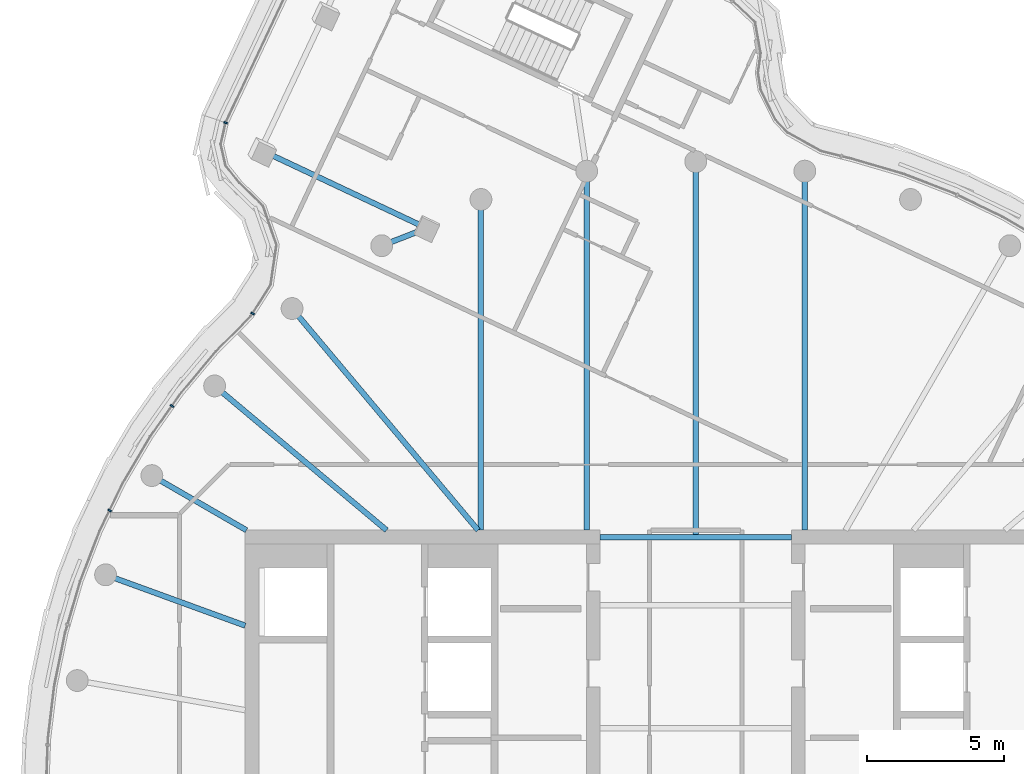
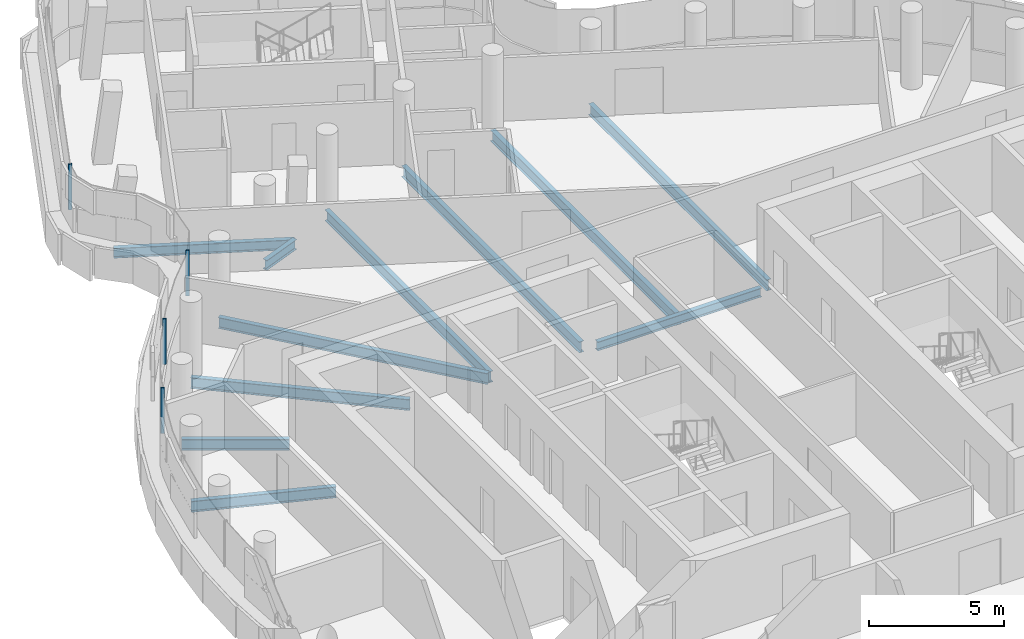
# One storey, part 9 of 21: 11 beams, 4 members, 1 element without a shape of its own.
"""IFC4 building model written with IfcOpenShell, lengths in metres."""

from ifc_helpers import new_model, si_unit, direction, frame, origin, origin_2d, place, context, subcontext, project, spatial, rectangle, i_section, extrude, material, layer, layer_set, material_profile, profile_set, type_object, element, aggregate, save


model = new_model("IFC4")

# Units and contexts
model_context = context("Model", 3, precision=1e-05, world=origin(), true_north=direction((0.0, 1.0)))
body_context = subcontext(model_context, "Body", "Model", "MODEL_VIEW")
ifc_project = project(units=[si_unit("LENGTHUNIT", "METRE"), si_unit("AREAUNIT", "SQUARE_METRE"), si_unit("VOLUMEUNIT", "CUBIC_METRE"), si_unit("PLANEANGLEUNIT", "RADIAN"), si_unit("MASSUNIT", "GRAM", prefix="KILO")], contexts=[model_context])

# Site, building, storey
site_placement = place(None, origin())
site = spatial("IfcSite", under=ifc_project, at=site_placement, CompositionType="ELEMENT")
building_placement = place(site_placement, origin())
building = spatial("IfcBuilding", under=site, at=building_placement, Name="Tamarind Cross Interchange Tower", CompositionType="ELEMENT")
storey_placement = place(building_placement, frame((0.0, 0.0, 267.60009765625)))
storey = spatial("IfcBuildingStorey", under=building, at=storey_placement, Name="L68", CompositionType="ELEMENT", Elevation=267.60009765625)

# Beams
ifc_material_1 = material(Name="Steel Q355B", Category="steel")
ifc_material_profile_1 = material_profile(ifc_material_1, i_section(OverallWidth=0.199951171875, OverallDepth=0.39990234375, WebThickness=0.008056640625, FlangeThickness=0.012939453125, FilletRadius=0.01611328125, at=origin_2d()), Name="HN 400x200x8x13")
ifc_profile_set_1 = profile_set([ifc_material_profile_1], Name="Steel Q355B")
beam_type_1 = type_object("IfcBeamType", Name="Composite beam HN 400x200x8x13 Q355B", PredefinedType="BEAM", material=ifc_profile_set_1)
beam_1_placement = place(storey_placement, frame((-3.5, 9.25, -0.340087890625), z_axis=(1.0, 0.0, 0.0), x_axis=(0.0, 1.0, 0.0)))
element("IfcBeam", 1, at=beam_1_placement, inside=storey, type_object=beam_type_1, Name="Beam G9.25", PredefinedType="BEAM", context=body_context, shape_type="SweptSolid", body=[
    extrude(i_section(OverallWidth=0.199951171875, OverallDepth=0.39990234375, WebThickness=0.008056640625, FlangeThickness=0.012939453125, FilletRadius=0.01611328125, at=origin_2d()), origin(), (0.0, 0.0, 1.0), 7.0),
])
ifc_material_profile_2 = material_profile(ifc_material_1, i_section(OverallWidth=0.198974609375, OverallDepth=0.446044921875, WebThickness=0.008056640625, FlangeThickness=0.011962890625, FilletRadius=0.012939453125, at=origin_2d()), Name="HN 446x199x8x12")
ifc_profile_set_2 = profile_set([ifc_material_profile_2], Name="Steel Q355B")
beam_type_2 = type_object("IfcBeamType", Name="Composite beam HN 446x199x8x12 Q355B", PredefinedType="BEAM", material=ifc_profile_set_2)
beam_2_placement = place(storey_placement, frame((-15.934326171875, 23.426025390625, -0.363037109375), z_axis=(0.904668861427, -0.426115302665, 0.0), x_axis=(0.426115302665, 0.904668861427, 0.0)))
element("IfcBeam", 2, at=beam_2_placement, inside=storey, type_object=beam_type_2, Name="Beam N-edgeep2", PredefinedType="BEAM", context=body_context, shape_type="SweptSolid", body=[
    extrude(i_section(OverallWidth=0.198974609375, OverallDepth=0.446044921875, WebThickness=0.008056640625, FlangeThickness=0.011962890625, FilletRadius=0.012939453125, at=origin_2d()), origin(), (0.0, 0.0, 1.0), 6.722900390625),
])
beam_3_placement = place(storey_placement, frame((-9.852294921875, 20.561279296875, -0.363037109375), z_axis=(-0.931659695272, -0.363332096304, 0.0), x_axis=(0.363332096304, -0.931659695272, 0.0)))
element("IfcBeam", 3, at=beam_3_placement, inside=storey, type_object=beam_type_2, Name="Beam N-linkep", PredefinedType="BEAM", context=body_context, shape_type="SweptSolid", body=[
    extrude(i_section(OverallWidth=0.198974609375, OverallDepth=0.446044921875, WebThickness=0.008056640625, FlangeThickness=0.011962890625, FilletRadius=0.012939453125, at=origin_2d()), origin(), (0.0, 0.0, 1.0), 1.7685546875),
])
ifc_material_profile_3 = material_profile(ifc_material_1, i_section(OverallWidth=0.198974609375, OverallDepth=0.49609375, WebThickness=0.009033203125, FlangeThickness=0.013916015625, FilletRadius=0.012939453125, at=origin_2d()), Name="HN 496x199x9x14")
ifc_profile_set_3 = profile_set([ifc_material_profile_3], Name="Steel Q355B")
beam_type_3 = type_object("IfcBeamType", Name="Composite beam HN 496x199x9x14 Q355B", PredefinedType="BEAM", material=ifc_profile_set_3)
beam_4_placement = place(storey_placement, frame((3.993896484375, 22.650634765625, -0.38818359375), z_axis=(0.0, -1.0, 0.0), x_axis=(1.0, 0.0, 0.0)))
element("IfcBeam", 4, at=beam_4_placement, inside=storey, type_object=beam_type_3, Name="Beam HH08", PredefinedType="BEAM", context=body_context, shape_type="SweptSolid", body=[
    extrude(i_section(OverallWidth=0.198974609375, OverallDepth=0.49609375, WebThickness=0.009033203125, FlangeThickness=0.013916015625, FilletRadius=0.012939453125, at=origin_2d()), origin(), (0.0, 0.0, 1.0), 13.150634765625),
])
beam_5_placement = place(storey_placement, frame((0.0, 23.0, -0.38818359375), z_axis=(0.0, -1.0, 0.0), x_axis=(1.0, 0.0, 0.0)))
element("IfcBeam", 5, at=beam_5_placement, inside=storey, type_object=beam_type_3, Name="Beam HH09", PredefinedType="BEAM", context=body_context, shape_type="SweptSolid", body=[
    extrude(i_section(OverallWidth=0.198974609375, OverallDepth=0.49609375, WebThickness=0.009033203125, FlangeThickness=0.013916015625, FilletRadius=0.012939453125, at=origin_2d()), origin(), (0.0, 0.0, 1.0), 13.75),
])
beam_6_placement = place(storey_placement, frame((-3.993896484375, 22.650634765625, -0.38818359375), z_axis=(0.0, -1.0, 0.0), x_axis=(1.0, 0.0, 0.0)))
element("IfcBeam", 6, at=beam_6_placement, inside=storey, type_object=beam_type_3, Name="Beam HH10", PredefinedType="BEAM", context=body_context, shape_type="SweptSolid", body=[
    extrude(i_section(OverallWidth=0.198974609375, OverallDepth=0.49609375, WebThickness=0.009033203125, FlangeThickness=0.013916015625, FilletRadius=0.012939453125, at=origin_2d()), origin(), (0.0, 0.0, 1.0), 13.150634765625),
])
beam_7_placement = place(storey_placement, frame((-7.866455078125, 21.613037109375, -0.38818359375), z_axis=(0.0, -1.0, 0.0), x_axis=(1.0, 0.0, 0.0)))
element("IfcBeam", 7, at=beam_7_placement, inside=storey, type_object=beam_type_3, Name="Beam HH11", PredefinedType="BEAM", context=body_context, shape_type="SweptSolid", body=[
    extrude(i_section(OverallWidth=0.198974609375, OverallDepth=0.49609375, WebThickness=0.009033203125, FlangeThickness=0.013916015625, FilletRadius=0.012939453125, at=origin_2d()), origin(), (0.0, 0.0, 1.0), 12.113037109375),
])
beam_8_placement = place(storey_placement, frame((-14.7841796875, 17.619140625, -0.38818359375), z_axis=(0.642786293979, -0.766045547127, 0.0), x_axis=(0.766045547127, 0.642786293979, 0.0)))
element("IfcBeam", 8, at=beam_8_placement, inside=storey, type_object=beam_type_3, Name="Beam HH13", PredefinedType="BEAM", context=body_context, shape_type="SweptSolid", body=[
    extrude(i_section(OverallWidth=0.198974609375, OverallDepth=0.49609375, WebThickness=0.009033203125, FlangeThickness=0.013916015625, FilletRadius=0.012939453125, at=origin_2d()), origin(), (0.0, 0.0, 1.0), 10.598876953125),
])
beam_9_placement = place(storey_placement, frame((-17.619140625, 14.7841796875, -0.38818359375), z_axis=(0.766040580814, -0.642792212574, 0.0), x_axis=(0.642792212574, 0.766040580814, 0.0)))
element("IfcBeam", 9, at=beam_9_placement, inside=storey, type_object=beam_type_3, Name="Beam HH14", PredefinedType="BEAM", context=body_context, shape_type="SweptSolid", body=[
    extrude(i_section(OverallWidth=0.198974609375, OverallDepth=0.49609375, WebThickness=0.009033203125, FlangeThickness=0.013916015625, FilletRadius=0.012939453125, at=origin_2d()), origin(), (0.0, 0.0, 1.0), 8.220703125),
])
beam_10_placement = place(storey_placement, frame((-19.918701171875, 11.5, -0.38818359375), z_axis=(0.866026010844, -0.49999894854, 0.0), x_axis=(0.49999894854, 0.866026010844, 0.0)))
element("IfcBeam", 10, at=beam_10_placement, inside=storey, type_object=beam_type_3, Name="Beam HH15", PredefinedType="BEAM", context=body_context, shape_type="SweptSolid", body=[
    extrude(i_section(OverallWidth=0.198974609375, OverallDepth=0.49609375, WebThickness=0.009033203125, FlangeThickness=0.013916015625, FilletRadius=0.012939453125, at=origin_2d()), origin(), (0.0, 0.0, 1.0), 4.0),
])
beam_11_placement = place(storey_placement, frame((-21.613037109375, 7.866455078125, -0.38818359375), z_axis=(0.939701685589, -0.341995236956, 0.0), x_axis=(0.341995236956, 0.939701685589, 0.0)))
element("IfcBeam", 11, at=beam_11_placement, inside=storey, type_object=beam_type_3, Name="Beam HH16", PredefinedType="BEAM", context=body_context, shape_type="SweptSolid", body=[
    extrude(i_section(OverallWidth=0.198974609375, OverallDepth=0.49609375, WebThickness=0.009033203125, FlangeThickness=0.013916015625, FilletRadius=0.012939453125, at=origin_2d()), origin(), (0.0, 0.0, 1.0), 5.441162109375),
])

# Curtain wall, members
ifc_material_2 = material(Name="Aluminium 6063-T6", Category="aluminium")
ifc_layer = layer(ifc_material_2, 0.139892578125)
ifc_layer_set = layer_set([ifc_layer], Name="Aluminium 6063-T6")
curtain_wall_type = type_object("IfcCurtainWallType", Name="Hotel curtain wall, 4.5 m bays", PredefinedType="NOTDEFINED", material=ifc_layer_set)
curtain_wall_placement = place(storey_placement, origin())
curtain_wall = element("IfcCurtainWall", 12, at=curtain_wall_placement, inside=storey, type_object=curtain_wall_type, Name="CWS-L68-01", PredefinedType="NOTDEFINED")
ifc_material_profile_4 = material_profile(ifc_material_2, rectangle(XDim=0.06005859375, YDim=0.139892578125, at=origin_2d()), Name="Mullion CW2")
ifc_profile_set_4 = profile_set([ifc_material_profile_4], Name="Aluminium 6063-T6")
member_type = type_object("IfcMemberType", Name="Mullion CW2", PredefinedType="MULLION", material=ifc_profile_set_4)
member_1_placement = place(storey_placement, frame((-17.217041015625, 24.42236328125, 1.39990234375), z_axis=(0.0, 0.0, 1.0), x_axis=(-0.323354566546, -0.946277879005, 0.0)))
member_1 = element("IfcMember", 13, at=member_1_placement, type_object=member_type, Name="CWM-L68-01-00", PredefinedType="MULLION", context=body_context, shape_type="SweptSolid", body=[
    extrude(rectangle(XDim=0.06005859375, YDim=0.139892578125, at=origin_2d()), origin(), (0.0, 0.0, 1.0), 2.06005859375),
])
member_2_placement = place(storey_placement, frame((-16.230712890625, 17.439453125, 1.39990234375), z_axis=(0.0, 0.0, 1.0), x_axis=(-0.537769412843, -0.843091963318, 0.0)))
member_2 = element("IfcMember", 14, at=member_2_placement, type_object=member_type, Name="CWM-L68-01-01", PredefinedType="MULLION", context=body_context, shape_type="SweptSolid", body=[
    extrude(rectangle(XDim=0.06005859375, YDim=0.139892578125, at=origin_2d()), origin(), (0.0, 0.0, 1.0), 2.06005859375),
])
member_3_placement = place(storey_placement, frame((-19.181884765625, 14.052734375, 1.39990234375), z_axis=(0.0, 0.0, 1.0), x_axis=(-0.577568978284, -0.816341886298, 0.0)))
member_3 = element("IfcMember", 15, at=member_3_placement, type_object=member_type, Name="CWM-L68-01-02", PredefinedType="MULLION", context=body_context, shape_type="SweptSolid", body=[
    extrude(rectangle(XDim=0.06005859375, YDim=0.139892578125, at=origin_2d()), origin(), (0.0, 0.0, 1.0), 2.06005859375),
])
member_4_placement = place(storey_placement, frame((-21.4658203125, 10.223388671875, 1.39990234375), z_axis=(0.0, 0.0, 1.0), x_axis=(-0.435326231914, -0.900272776334, 0.0)))
member_4 = element("IfcMember", 16, at=member_4_placement, type_object=member_type, Name="CWM-L68-01-03", PredefinedType="MULLION", context=body_context, shape_type="SweptSolid", body=[
    extrude(rectangle(XDim=0.06005859375, YDim=0.139892578125, at=origin_2d()), origin(), (0.0, 0.0, 1.0), 2.06005859375),
])
aggregate(curtain_wall, [member_1, member_2, member_3, member_4])

save(model, "model.ifc")
